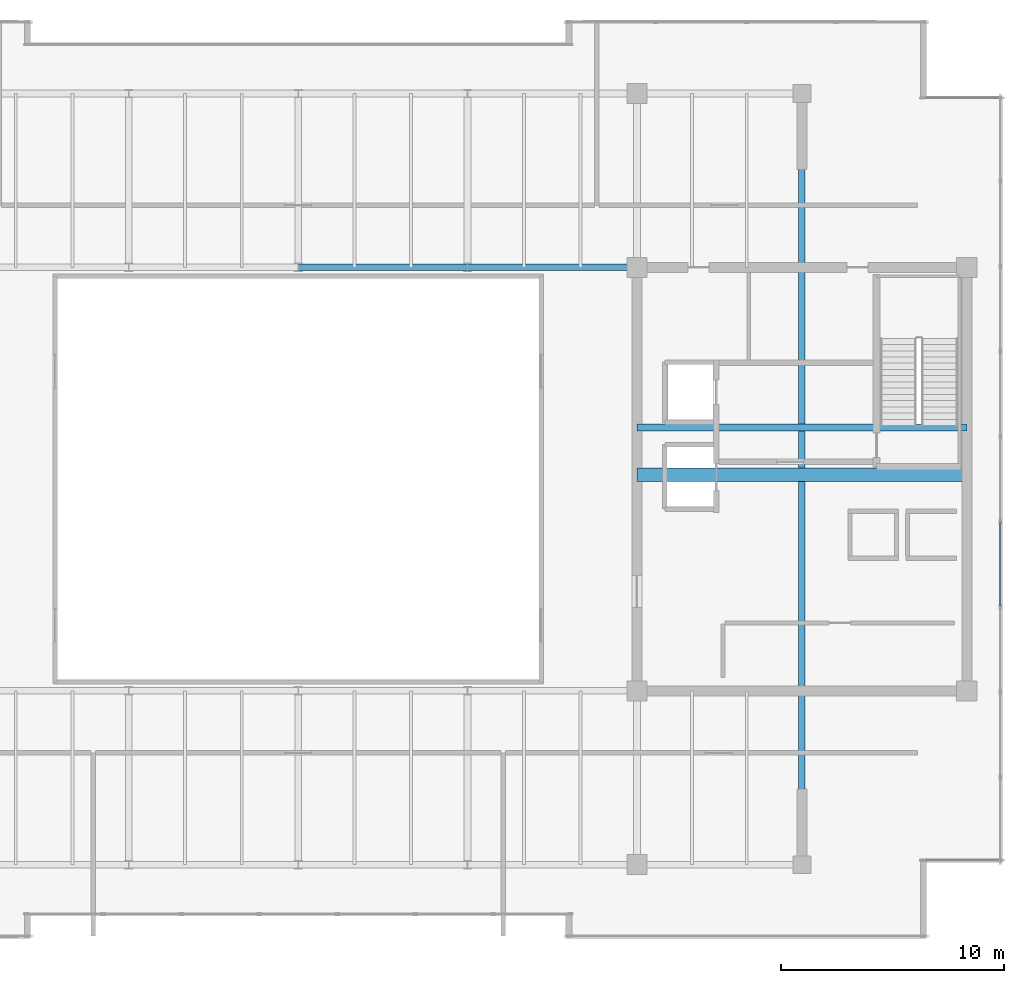
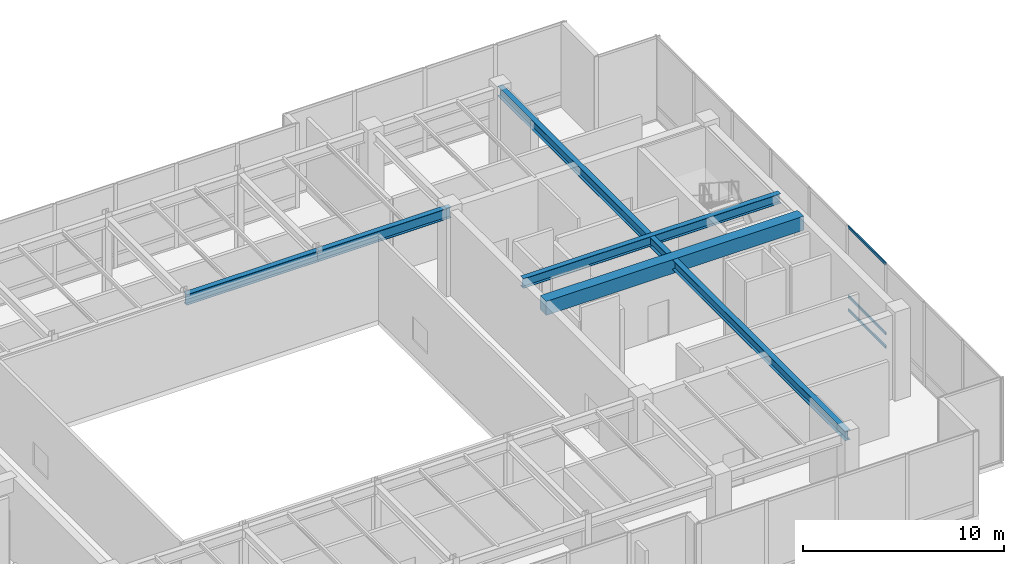
# One storey, part 16 of 30: 5 beams, 3 members, 1 element without a shape of its own.
"""IFC4 building model written with IfcOpenShell, lengths in metres."""

from ifc_helpers import new_model, si_unit, direction, frame, origin, origin_2d, place, context, subcontext, project, spatial, rectangle, hollow_rectangle, i_section, extrude, source, transform, mapped, material, layer, layer_set, material_profile, profile_set, type_object, type_shapes, element, aggregate, save


model = new_model("IFC4")

# Units and contexts
model_context = context("Model", 3, precision=1e-05, world=origin(), true_north=direction((0.0, 1.0)))
body_context = subcontext(model_context, "Body", "Model", "MODEL_VIEW")
ifc_project = project(units=[si_unit("LENGTHUNIT", "METRE"), si_unit("AREAUNIT", "SQUARE_METRE"), si_unit("VOLUMEUNIT", "CUBIC_METRE"), si_unit("PLANEANGLEUNIT", "RADIAN"), si_unit("MASSUNIT", "GRAM", prefix="KILO")], contexts=[model_context])

# Site, building, storey
site_placement = place(None, origin())
site = spatial("IfcSite", under=ifc_project, at=site_placement, CompositionType="ELEMENT")
building_placement = place(site_placement, origin())
building = spatial("IfcBuilding", under=site, at=building_placement, Name="Haelvirn Gate Laboratories", CompositionType="ELEMENT")
storey_placement = place(building_placement, frame((0.0, 0.0, 327.0)))
storey = spatial("IfcBuildingStorey", under=building, at=storey_placement, Name="L78", CompositionType="ELEMENT", Elevation=327.0)

# Beams
ifc_material_1 = material(Name="Steel SM355", Category="steel")
ifc_material_profile_1 = material_profile(ifc_material_1, i_section(OverallWidth=0.300048828125, OverallDepth=0.587890625, WebThickness=0.011962890625, FlangeThickness=0.02001953125, at=origin_2d()), Name="H-588x300x12x20")
ifc_profile_set_1 = profile_set([ifc_material_profile_1], Name="Steel SM355")
beam_type_1 = type_object("IfcBeamType", Name="BM-G-588", PredefinedType="BEAM", material=ifc_profile_set_1)
shared_shape_1 = source(origin(), body_context, "Body", "SweptSolid", [
    extrude(i_section(OverallWidth=0.300048828125, OverallDepth=0.587890625, WebThickness=0.011962890625, FlangeThickness=0.02001953125, at=origin_2d()), origin(), (0.0, 0.0, 1.0), 14.7998046875),
])
beam_1_placement = place(storey_placement, frame((52.60009765625, 26.6201171875, 4.825927734375), z_axis=(1.0, 0.0, 0.0), x_axis=(0.0, 1.0, 0.0)))
element("IfcBeam", 1, at=beam_1_placement, inside=storey, type_object=beam_type_1, Name="L78 Stair ST2 Landing Header", PredefinedType="BEAM", context=body_context, shape_type="MappedRepresentation", body=[
    mapped(shared_shape_1, transform((0.0, 0.0, 0.0), scale=1.0)),
])
shared_shape_2 = source(origin(), body_context, "Body", "SweptSolid", [
    extrude(i_section(OverallWidth=0.300048828125, OverallDepth=0.587890625, WebThickness=0.011962890625, FlangeThickness=0.02001953125, at=origin_2d()), origin(), (0.0, 0.0, 1.0), 34.60009765625),
])
type_shapes(beam_type_1, [shared_shape_1, shared_shape_2])
beam_2_placement = place(storey_placement, frame((60.0, 7.0, 4.825927734375), z_axis=(0.0, 1.0, 0.0), x_axis=(-1.0, 0.0, 0.0)))
element("IfcBeam", 2, at=beam_2_placement, inside=storey, type_object=beam_type_1, Name="L78 Frame Girder X60.0 (7.0-41.6)", PredefinedType="BEAM", context=body_context, shape_type="MappedRepresentation", body=[
    mapped(shared_shape_2, transform((0.0, 0.0, 0.0), scale=1.0)),
])
ifc_material_2 = material(Name="Concrete C50/60", Category="concrete")
ifc_material_profile_2 = material_profile(ifc_material_2, rectangle(XDim=0.60009765625, YDim=0.85009765625, at=origin_2d()), Name="RCB-600x850")
ifc_profile_set_2 = profile_set([ifc_material_profile_2], Name="Concrete C50/60")
beam_type_2 = type_object("IfcBeamType", Name="BM-RCB-850", PredefinedType="LINTEL", material=ifc_profile_set_2)
shared_shape_3 = source(origin(), body_context, "Body", "SweptSolid", [
    extrude(rectangle(XDim=0.60009765625, YDim=0.85009765625, at=origin_2d()), origin(), (0.0, 0.0, 1.0), 14.7998046875),
])
type_shapes(beam_type_2, [shared_shape_3])
beam_3_placement = place(storey_placement, frame((52.60009765625, 24.5, 4.695068359375), z_axis=(1.0, 0.0, 0.0), x_axis=(0.0, 1.0, 0.0)))
element("IfcBeam", 3, at=beam_3_placement, inside=storey, type_object=beam_type_2, Name="L78 East Core Coupling Beam", PredefinedType="LINTEL", context=body_context, shape_type="MappedRepresentation", body=[
    mapped(shared_shape_3, transform((0.0, 0.0, 0.0), scale=1.0)),
])
ifc_material_profile_3 = material_profile(ifc_material_1, i_section(OverallWidth=0.300048828125, OverallDepth=0.64990234375, WebThickness=0.012939453125, FlangeThickness=0.02197265625, at=origin_2d()), Name="H-650x300x13x22")
ifc_profile_set_3 = profile_set([ifc_material_profile_3], Name="Steel SM355")
beam_type_3 = type_object("IfcBeamType", Name="BM-G-650", PredefinedType="BEAM", material=ifc_profile_set_3)
shared_shape_4 = source(origin(), body_context, "Body", "SweptSolid", [
    extrude(i_section(OverallWidth=0.300048828125, OverallDepth=0.64990234375, WebThickness=0.012939453125, FlangeThickness=0.02197265625, at=origin_2d()), origin(), (0.0, 0.0, 1.0), 7.60009765625),
])
type_shapes(beam_type_3, [shared_shape_4])
for number, where, z_axis, x_axis, name in (
    (4, (37.39990234375, 33.800048828125, 4.794921875), (1.0, 0.0, 0.0), (0.0, 1.0, 0.0), "L78 Primary Girder Y33.8 (37.4-45.0)"),
    (5, (45.0, 33.800048828125, 4.794921875), (1.0, 0.0, 0.0), (0.0, 1.0, 0.0), "L78 Primary Girder Y33.8 (45.0-52.6)"),
):
    element("IfcBeam", number, at=place(storey_placement, frame(where, z_axis=z_axis, x_axis=x_axis)), inside=storey, type_object=beam_type_3, Name=name, PredefinedType="BEAM", context=body_context, shape_type="MappedRepresentation", body=[
        mapped(shared_shape_4, transform((0.0, 0.0, 0.0), scale=1.0)),
    ])

# Curtain wall, members
ifc_material_3 = material(Name="Anodised bronze unitised aluminium & triple low-E glass", Category="aluminium")
ifc_layer = layer(ifc_material_3, 0.19189453125, Name="CW-SYS-6")
ifc_layer_set = layer_set([ifc_layer], Name="Anodised bronze unitised aluminium & triple low-E glass")
curtain_wall_type = type_object("IfcCurtainWallType", Name="CW-SYS-6", PredefinedType="NOTDEFINED", material=ifc_layer_set)
curtain_wall_placement = place(storey_placement, origin())
curtain_wall = element("IfcCurtainWall", 6, at=curtain_wall_placement, inside=storey, type_object=curtain_wall_type, Name="L78 Unitised Curtain Wall CW-L78-P0-E07", PredefinedType="NOTDEFINED")
ifc_material_4 = material(Name="Extruded aluminium 6063-T6 (anodised bronze)", Category="aluminium")
ifc_material_profile_4 = material_profile(ifc_material_4, hollow_rectangle(XDim=0.070068359375, YDim=0.159912109375, WallThickness=0.0048828125, at=origin_2d()), Name="CWT-160x70x5")
ifc_profile_set_4 = profile_set([ifc_material_profile_4], Name="Extruded aluminium 6063-T6 (anodised bronze)")
member_type = type_object("IfcMemberType", Name="CWT-T160", PredefinedType="USERDEFINED", material=ifc_profile_set_4)
shared_shape_5 = source(origin(), body_context, "Body", "SweptSolid", [
    extrude(hollow_rectangle(XDim=0.070068359375, YDim=0.159912109375, WallThickness=0.0048828125, at=origin_2d()), origin(), (0.0, 0.0, 1.0), 3.7421875),
])
type_shapes(member_type, [shared_shape_5])
member_1_placement = place(storey_placement, frame((68.89990234375, 18.606689453125, 0.034912109375), z_axis=(0.0, 1.0, 0.0), x_axis=(-1.0, 0.0, 0.0)))
member_1 = element("IfcMember", 7, at=member_1_placement, type_object=member_type, Name="CW6 transom 4.1", ObjectType="TRANSOM", PredefinedType="USERDEFINED", context=body_context, shape_type="MappedRepresentation", body=[
    mapped(shared_shape_5, transform((0.0, 0.0, 0.0), scale=1.0)),
])
member_2_placement = place(storey_placement, frame((68.89990234375, 18.606689453125, 0.85009765625), z_axis=(0.0, 1.0, 0.0), x_axis=(-1.0, 0.0, 0.0)))
member_2 = element("IfcMember", 8, at=member_2_placement, type_object=member_type, Name="CW6 transom 4.2", ObjectType="TRANSOM", PredefinedType="USERDEFINED", context=body_context, shape_type="MappedRepresentation", body=[
    mapped(shared_shape_5, transform((0.0, 0.0, 0.0), scale=1.0)),
])
member_3_placement = place(storey_placement, frame((68.89990234375, 18.606689453125, 5.0849609375), z_axis=(0.0, 1.0, 0.0), x_axis=(-1.0, 0.0, 0.0)))
member_3 = element("IfcMember", 9, at=member_3_placement, type_object=member_type, Name="CW6 transom 4.3", ObjectType="TRANSOM", PredefinedType="USERDEFINED", context=body_context, shape_type="MappedRepresentation", body=[
    mapped(shared_shape_5, transform((0.0, 0.0, 0.0), scale=1.0)),
])
aggregate(curtain_wall, [member_1, member_2, member_3])

save(model, "model.ifc")
